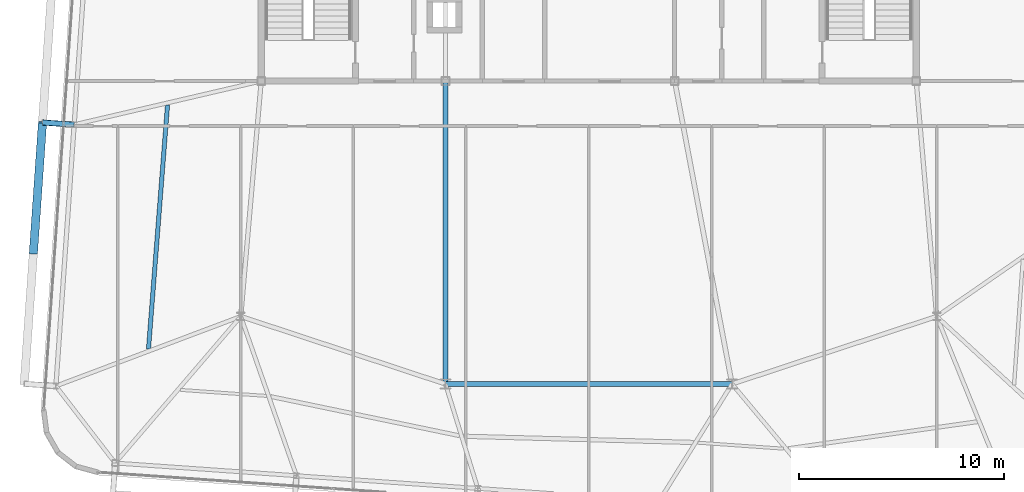
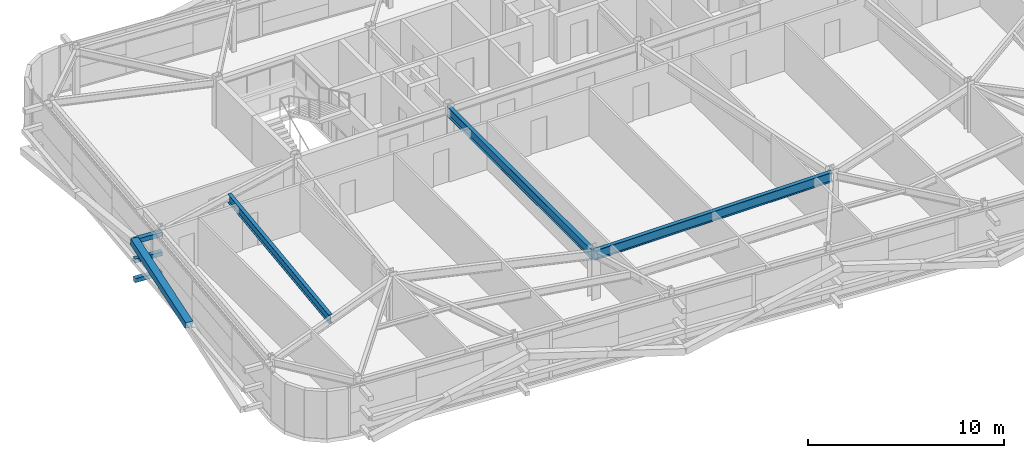
# One storey, part 10 of 39: 4 members, 3 beams.
"""IFC4 building model written with IfcOpenShell, lengths in metres."""

from ifc_helpers import new_model, si_unit, direction, frame, origin, origin_2d, place, context, subcontext, project, spatial, hollow_rectangle, i_section, extrude, source, transform, mapped, material, material_profile, profile_set, type_object, element, save


model = new_model("IFC4")

# Units and contexts
model_context = context("Model", 3, precision=1e-05, world=origin(), true_north=direction((0.0, 1.0)))
body_context = subcontext(model_context, "Body", "Model", "MODEL_VIEW")
ifc_project = project(units=[si_unit("LENGTHUNIT", "METRE"), si_unit("AREAUNIT", "SQUARE_METRE"), si_unit("VOLUMEUNIT", "CUBIC_METRE"), si_unit("PLANEANGLEUNIT", "RADIAN"), si_unit("MASSUNIT", "GRAM", prefix="KILO")], contexts=[model_context])

# Site, building, storey
site_placement = place(None, origin())
site = spatial("IfcSite", under=ifc_project, at=site_placement, CompositionType="ELEMENT")
building_placement = place(site_placement, origin())
building = spatial("IfcBuilding", under=site, at=building_placement, Name="Taldren Reach Tower", CompositionType="ELEMENT")
storey_placement = place(building_placement, frame((0.0, 0.0, 120.39990234375)))
storey = spatial("IfcBuildingStorey", under=building, at=storey_placement, Name="L36", CompositionType="ELEMENT", Elevation=120.39990234375)

# Beams
ifc_material_1 = material(Name="Steel Gr 350 (350PLUS)", Category="steel")
ifc_material_profile_1 = material_profile(ifc_material_1, i_section(OverallWidth=0.22802734375, OverallDepth=0.60205078125, WebThickness=0.010498046875, FlangeThickness=0.014892578125, at=origin_2d()), Name="610UB101")
ifc_profile_set_1 = profile_set([ifc_material_profile_1], Name="Steel Gr 350 (350PLUS)")
beam_type_1 = type_object("IfcBeamType", Name="BM-UB610B", PredefinedType="BEAM", material=ifc_profile_set_1)
shared_shape_1 = source(origin(), body_context, "Body", "SweptSolid", [
    extrude(i_section(OverallWidth=0.22802734375, OverallDepth=0.60205078125, WebThickness=0.010498046875, FlangeThickness=0.014892578125, at=origin_2d()), origin(), (0.0, 0.0, 1.0), 14.0),
])
beam_1_placement = place(storey_placement, frame((28.0, 9.199951171875, 2.629150390625), z_axis=(1.0, 0.0, 0.0), x_axis=(0.0, 1.0, 0.0)))
element("IfcBeam", 1, at=beam_1_placement, inside=storey, type_object=beam_type_1, Name="Core-spine girder L36-SP11", PredefinedType="BEAM", context=body_context, shape_type="MappedRepresentation", body=[
    mapped(shared_shape_1, transform((0.0, 0.0, 0.0), scale=1.0)),
])
shared_shape_2 = source(origin(), body_context, "Body", "SweptSolid", [
    extrude(i_section(OverallWidth=0.22802734375, OverallDepth=0.60205078125, WebThickness=0.010498046875, FlangeThickness=0.014892578125, at=origin_2d()), origin(), (0.0, 0.0, 1.0), 14.800048828125),
])
beam_2_placement = place(storey_placement, frame((28.0, 24.0, 2.629150390625), z_axis=(0.0, -1.0, 0.0), x_axis=(1.0, 0.0, 0.0)))
element("IfcBeam", 2, at=beam_2_placement, inside=storey, type_object=beam_type_1, Name="Core-spine girder L36-SP14", PredefinedType="BEAM", context=body_context, shape_type="MappedRepresentation", body=[
    mapped(shared_shape_2, transform((0.0, 0.0, 0.0), scale=1.0)),
])

# Members
ifc_material_2 = material(Name="Steel Gr 450 (C450L0)", Category="steel")
ifc_material_profile_2 = material_profile(ifc_material_2, hollow_rectangle(XDim=0.27490234375, YDim=0.27490234375, WallThickness=0.00927734375, at=origin_2d()), Name="275x275x9.3SHS")
ifc_profile_set_2 = profile_set([ifc_material_profile_2], Name="Steel Gr 450 (C450L0)")
member_type_1 = type_object("IfcMemberType", Name="MB-TIE273", PredefinedType="STRUT", material=ifc_profile_set_2)
shared_shape_3 = source(origin(), body_context, "Body", "SweptSolid", [
    extrude(hollow_rectangle(XDim=0.27490234375, YDim=0.27490234375, WallThickness=0.00927734375, at=origin_2d()), origin(), (0.0, 0.0, 1.0), 1.550048828125),
])
member_1_placement = place(storey_placement, frame((9.86181640625, 21.868408203125, 2.650146484375), z_axis=(-0.99756313426, 0.06976957191, 0.0), x_axis=(-0.06976957191, -0.99756313426, 0.0)))
element("IfcMember", 3, at=member_1_placement, inside=storey, type_object=member_type_1, Name="Exoskeleton diaphragm tie strut B3-W2 L36", PredefinedType="STRUT", context=body_context, shape_type="MappedRepresentation", body=[
    mapped(shared_shape_3, transform((0.0, 0.0, 0.0), scale=1.0)),
])
ifc_material_3 = material(Name="Steel Gr 350 (C350L0)", Category="steel")
ifc_material_profile_3 = material_profile(ifc_material_3, hollow_rectangle(XDim=0.25, YDim=0.25, WallThickness=0.010009765625, at=origin_2d()), Name="250x250x10.0SHS")
ifc_profile_set_3 = profile_set([ifc_material_profile_3], Name="Steel Gr 350 (C350L0)")
member_type_2 = type_object("IfcMemberType", Name="MB-POST250", PredefinedType="POST", material=ifc_profile_set_3)
shared_shape_4 = source(origin(), body_context, "Body", "SweptSolid", [
    extrude(hollow_rectangle(XDim=0.25, YDim=0.25, WallThickness=0.010009765625, at=origin_2d()), origin(), (0.0, 0.0, 1.0), 1.550048828125),
])
for number, where, z_axis, x_axis, name in (
    (4, (9.86181640625, 21.868408203125, 0.22021484375), (-0.99756313426, 0.06976957191, 0.0), (-0.06976957191, -0.99756313426, 0.0), "Exoskeleton base diaphragm tie strut B3-W2 L36"),
    (5, (9.86181640625, 21.868408203125, 1.43505859375), (-0.99756313426, 0.06976957191, 0.0), (-0.06976957191, -0.99756313426, 0.0), "Exoskeleton mid-tier diaphragm tie B3-W2 L36"),
):
    element("IfcMember", number, at=place(storey_placement, frame(where, z_axis=z_axis, x_axis=x_axis)), inside=storey, type_object=member_type_2, Name=name, PredefinedType="POST", context=body_context, shape_type="MappedRepresentation", body=[
        mapped(shared_shape_4, transform((0.0, 0.0, 0.0), scale=1.0)),
    ])

# Beam
ifc_material_profile_4 = material_profile(ifc_material_1, i_section(OverallWidth=0.208984375, OverallDepth=0.532958984375, WebThickness=0.01025390625, FlangeThickness=0.015625, at=origin_2d()), Name="530UB92.4")
ifc_profile_set_4 = profile_set([ifc_material_profile_4], Name="Steel Gr 350 (350PLUS)")
beam_type_2 = type_object("IfcBeamType", Name="BM-UB530A", PredefinedType="BEAM", material=ifc_profile_set_4)
shared_shape_5 = source(origin(), body_context, "Body", "SweptSolid", [
    extrude(i_section(OverallWidth=0.208984375, OverallDepth=0.532958984375, WebThickness=0.01025390625, FlangeThickness=0.015625, at=origin_2d()), origin(), (0.0, 0.0, 1.0), 11.965576171875),
])
beam_3_placement = place(storey_placement, frame((13.49267578125, 10.90478515625, 2.66357421875), z_axis=(0.077757433297, 0.996972307322, 0.0), x_axis=(-0.996972307322, 0.077757433297, 0.0)))
element("IfcBeam", 6, at=beam_3_placement, inside=storey, type_object=beam_type_2, Name="Secondary floor beam B3 J6 L36", PredefinedType="BEAM", context=body_context, shape_type="MappedRepresentation", body=[
    mapped(shared_shape_5, transform((0.0, 0.0, 0.0), scale=1.0)),
])

# Member
ifc_material_profile_5 = material_profile(ifc_material_2, hollow_rectangle(XDim=0.409912109375, YDim=0.409912109375, WallThickness=0.01611328125, at=origin_2d()), Name="410x410x16.0SHS")
ifc_profile_set_5 = profile_set([ifc_material_profile_5], Name="Steel Gr 450 (C450L0)")
member_type_3 = type_object("IfcMemberType", Name="MB-EXO406", PredefinedType="BRACE", material=ifc_profile_set_5)
shared_shape_6 = source(origin(), body_context, "Body", "SweptSolid", [
    extrude(hollow_rectangle(XDim=0.409912109375, YDim=0.409912109375, WallThickness=0.01611328125, at=origin_2d()), origin(), (0.0, 0.0, 1.0), 6.514404296875),
])
member_2_placement = place(storey_placement, frame((7.869140625, 15.592041015625, 1.43505859375), z_axis=(0.068507825937, 0.980059166346, 0.186522674885), x_axis=(-0.997565791441, 0.069731569223, 0.0)))
element("IfcMember", 7, at=member_2_placement, inside=storey, type_object=member_type_3, Name="Exoskeleton Diagrid Brace B3-W1 L36", PredefinedType="BRACE", context=body_context, shape_type="MappedRepresentation", body=[
    mapped(shared_shape_6, transform((0.0, 0.0, 0.0), scale=1.0)),
])

save(model, "model.ifc")
